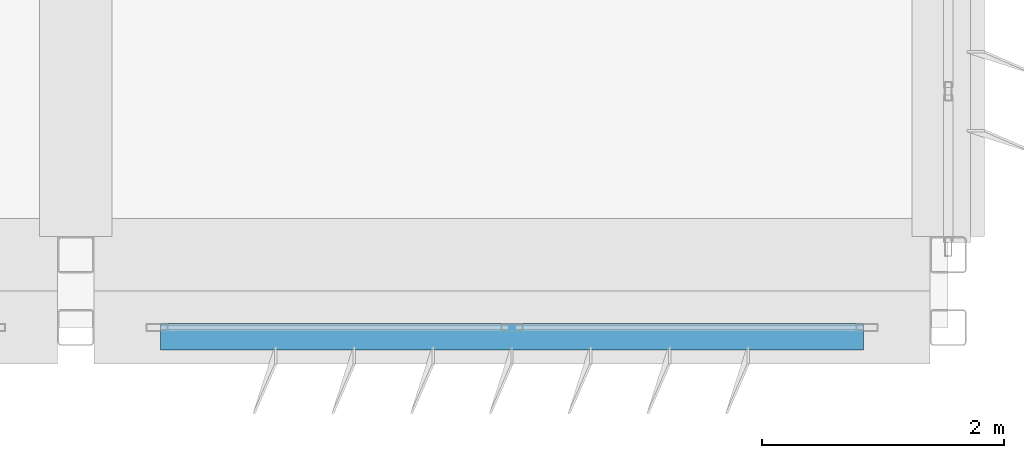
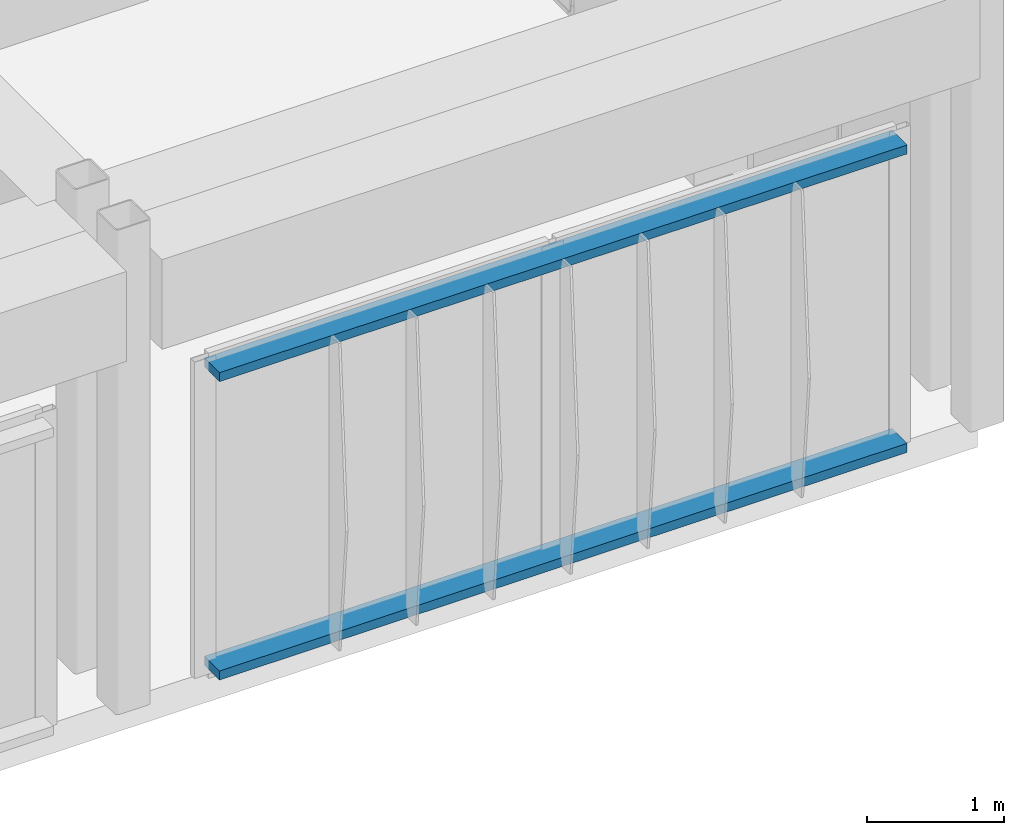
# One storey, part 41 of 53: 2 discrete accessories.
"""IFC4 building model written with IfcOpenShell, lengths in metres."""

from ifc_helpers import new_model, si_unit, direction, frame, origin, origin_2d, place, context, subcontext, project, spatial, rectangle, extrude, material, type_object, element, save


model = new_model("IFC4")

# Units and contexts
model_context = context("Model", 3, precision=1e-05, world=origin(), true_north=direction((0.0, 1.0)))
body_context = subcontext(model_context, "Body", "Model", "MODEL_VIEW")
ifc_project = project(units=[si_unit("LENGTHUNIT", "METRE"), si_unit("AREAUNIT", "SQUARE_METRE"), si_unit("VOLUMEUNIT", "CUBIC_METRE"), si_unit("PLANEANGLEUNIT", "RADIAN"), si_unit("MASSUNIT", "GRAM", prefix="KILO")], contexts=[model_context])

# Site, building, storey
site_placement = place(None, origin())
site = spatial("IfcSite", under=ifc_project, at=site_placement, CompositionType="ELEMENT")
building_placement = place(site_placement, origin())
building = spatial("IfcBuilding", under=site, at=building_placement, Name="Kazehaya Institute of Natural Sciences", CompositionType="ELEMENT")
storey_placement = place(building_placement, frame((0.0, 0.0, 33.300048828125)))
storey = spatial("IfcBuildingStorey", under=building, at=storey_placement, Name="L07", CompositionType="ELEMENT", Elevation=33.300048828125)

# Discrete accessories
ifc_material = material(Name="Aluminium alloy A6063S-T5", Category="aluminium")
discrete_accessory_type = type_object("IfcDiscreteAccessoryType", Name="ACC-BRK-01", PredefinedType="BRACKET", material=ifc_material)
for number, where, z_axis, x_axis, name in (
    (1, (115.800048828125, 6.125, 0.039794921875), (0.0, 0.0, 1.0), (-1.0, 0.0, 0.0), "L07 fin support outrigger rail 1"),
    (2, (115.800048828125, 6.125, 2.699951171875), (0.0, 0.0, 1.0), (-1.0, 0.0, 0.0), "L07 fin support outrigger rail 2"),
):
    element("IfcDiscreteAccessory", number, at=place(storey_placement, frame(where, z_axis=z_axis, x_axis=x_axis)), inside=storey, type_object=discrete_accessory_type, Name=name, PredefinedType="BRACKET", context=body_context, shape_type="SweptSolid", body=[
        extrude(rectangle(XDim=5.800048828125, YDim=0.219970703125, at=origin_2d()), origin(), (0.0, 0.0, 1.0), 0.080078125),
    ])

save(model, "model.ifc")
